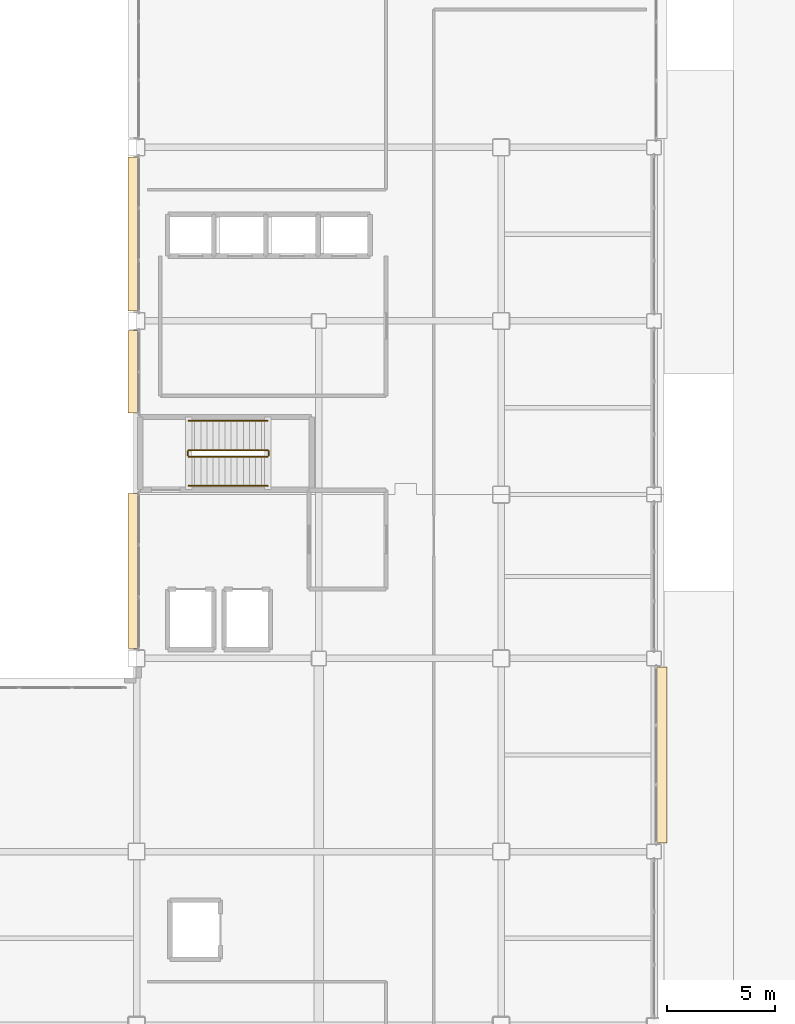
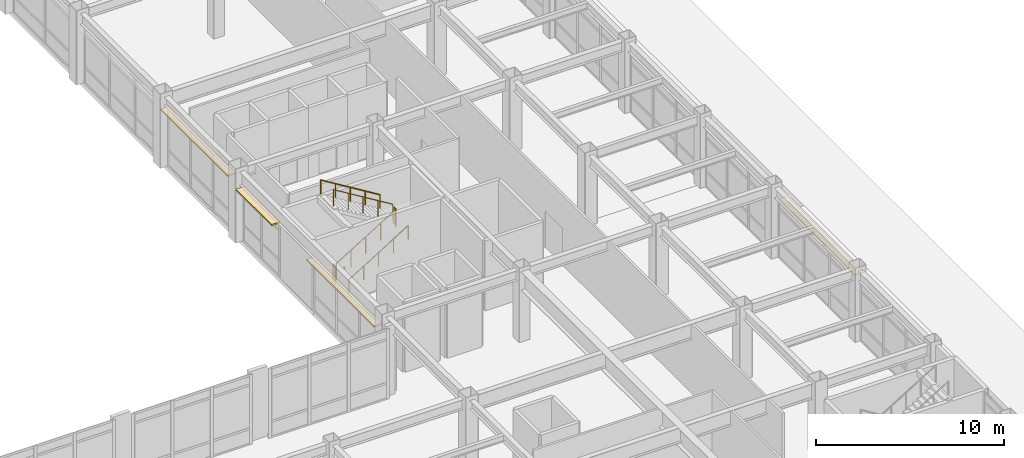
# One storey, part 168 of 172: 6 railings, 4 coverings.
"""IFC4 building model written with IfcOpenShell, lengths in metres."""

import ifcopenshell
import ifcopenshell.guid

model = None  # the IFC model being written
_history = None  # IfcOwnerHistory: only IFC2X3 demands one
_inside = {}  # id of a spatial element -> (the spatial element, [elements in it])
_under = {}  # id of a project, library or spatial element -> (it, [spatial elements below it])
_declared = {}  # id of a project -> (the project, [libraries it declares])
_typed = {}  # id of a type object -> (the type object, [elements of that type])
_made_of = {}  # id of a material, layer set ... -> (it, [elements and type objects made of it])


def new_model(schema):
    """Start an empty IFC model of exactly this schema.

    Asked for "IFC4X3", IfcOpenShell would pick the latest addendum, in which some entities
    have other attributes; the version numbers below select the first issue.
    IFC2X3 requires an IfcOwnerHistory on every rooted entity: one is made here for all.
    """
    global model, _history
    if schema == "IFC4X3":
        model = ifcopenshell.file(schema_version=(4, 3, 0, 0))
    else:
        model = ifcopenshell.file(schema=schema)
    _inside.clear()
    _under.clear()
    _declared.clear()
    _typed.clear()
    _made_of.clear()
    _history = None
    if model.schema == "IFC2X3":
        org = make("IfcOrganization", Name="unknown")
        user = make(
            "IfcPersonAndOrganization",
            ThePerson=make("IfcPerson", FamilyName="unknown"),
            TheOrganization=org,
        )
        app = make(
            "IfcApplication",
            ApplicationDeveloper=org,
            Version="unknown",
            ApplicationFullName="unknown",
            ApplicationIdentifier="unknown",
        )
        _history = make(
            "IfcOwnerHistory",
            OwningUser=user,
            OwningApplication=app,
            ChangeAction="ADDED",
            CreationDate=0,
        )
    return model


def make(cls, **values):
    """One entity of the class cls with the attributes given. An attribute that is None is left unset."""
    return model.create_entity(
        cls, **{name: value for name, value in values.items() if value is not None}
    )


def rooted(cls, **values):
    """An entity with a GlobalId (a new one), such as an element, a storey or a relation."""
    return make(cls, GlobalId=ifcopenshell.guid.new(), OwnerHistory=_history, **values)


def si_unit(unit_type, name, prefix=None):
    """IfcSIUnit, for example si_unit("LENGTHUNIT", "METRE", prefix="MILLI")."""
    return make("IfcSIUnit", UnitType=unit_type, Prefix=prefix, Name=name)


def assignment(units):
    """IfcUnitAssignment: the units of a project."""
    return None if units is None else make("IfcUnitAssignment", Units=units)


def point(xyz):
    """IfcCartesianPoint."""
    return None if xyz is None else make("IfcCartesianPoint", Coordinates=xyz)


def direction(xyz):
    """IfcDirection."""
    return None if xyz is None else make("IfcDirection", DirectionRatios=xyz)


def frame(location, z_axis=None, x_axis=None):
    """IfcAxis2Placement3D, a coordinate frame: its origin and axes. An axis left out is left unset."""
    return make(
        "IfcAxis2Placement3D",
        Location=point(location),
        Axis=direction(z_axis),
        RefDirection=direction(x_axis),
    )


def frame_2d(location, x_axis=None):
    """IfcAxis2Placement2D, a coordinate frame in the plane: its origin and x axis."""
    return make(
        "IfcAxis2Placement2D", Location=point(location), RefDirection=direction(x_axis)
    )


def origin():
    """The frame at (0, 0, 0) with its axes left unset."""
    return frame((0.0, 0.0, 0.0))


def origin_2d():
    """The frame at (0, 0) in the plane with its x axis left unset."""
    return frame_2d((0.0, 0.0))


def place(relative_to, where):
    """IfcLocalPlacement: puts the frame where relative to a parent placement (None: the world)."""
    return make(
        "IfcLocalPlacement", PlacementRelTo=relative_to, RelativePlacement=where
    )


def context(
    kind, dimensions, precision=None, world=None, true_north=None, identifier=None
):
    """IfcGeometricRepresentationContext, for example the 3D "Model" context."""
    return make(
        "IfcGeometricRepresentationContext",
        ContextIdentifier=identifier,
        ContextType=kind,
        CoordinateSpaceDimension=dimensions,
        Precision=precision,
        WorldCoordinateSystem=world,
        TrueNorth=true_north,
    )


def subcontext(parent, identifier, kind, view, scale=None):
    """IfcGeometricRepresentationSubContext, for example "Body" below "Model"."""
    return make(
        "IfcGeometricRepresentationSubContext",
        ContextIdentifier=identifier,
        ContextType=kind,
        ParentContext=parent,
        TargetScale=scale,
        TargetView=view,
    )


def project(units=None, contexts=None):
    """IfcProject with its units and contexts."""
    return rooted(
        "IfcProject",
        Name="project",
        RepresentationContexts=contexts,
        UnitsInContext=assignment(units),
    )


def spatial(cls, under=None, at=None, **own):
    """A site, building, storey or space (cls), placed at a placement, below another one or the project."""
    s = rooted(cls, ObjectPlacement=at, **own)
    if under is not None:
        _under.setdefault(under.id(), (under, []))[1].append(s)
    return s


def profile(cls, at=None, kind="AREA", **sizes):
    """A parametric profile (cls). Its sizes go by their IFC names, for example OverallWidth=200.0."""
    return make(cls, ProfileType=kind, Position=at, **sizes)


def rectangle(**sizes):
    """IfcRectangleProfileDef."""
    return profile("IfcRectangleProfileDef", **sizes)


def circle(**sizes):
    """IfcCircleProfileDef."""
    return profile("IfcCircleProfileDef", **sizes)


def extrude(swept, where, along, depth):
    """IfcExtrudedAreaSolid: the profile swept, set in the frame where, extruded along a direction by depth."""
    return make(
        "IfcExtrudedAreaSolid",
        SweptArea=swept,
        Position=where,
        ExtrudedDirection=direction(along),
        Depth=depth,
    )


def shape(context_of_items, identifier, shape_type, items):
    """IfcShapeRepresentation: the items that make up one representation, for example the "Body"."""
    return make(
        "IfcShapeRepresentation",
        ContextOfItems=context_of_items,
        RepresentationIdentifier=identifier,
        RepresentationType=shape_type,
        Items=items,
    )


def material(Name=None, Category=None):
    """IfcMaterial."""
    return make("IfcMaterial", Name=Name, Category=Category)


def layer(
    of_material, thickness, ventilated=None, Name=None, Category=None, Priority=None
):
    """IfcMaterialLayer: one layer of a wall or slab, of a material (None: an air gap)."""
    return make(
        "IfcMaterialLayer",
        Material=of_material,
        LayerThickness=thickness,
        IsVentilated=ventilated,
        Name=Name,
        Category=Category,
        Priority=Priority,
    )


def layer_set(layers, Name=None):
    """IfcMaterialLayerSet."""
    return make("IfcMaterialLayerSet", MaterialLayers=layers, LayerSetName=Name)


def made_of(thing, what):
    """Note that an element or type object is made of a material, layer set ...; save() writes the relation."""
    if what is not None:
        _made_of.setdefault(what.id(), (what, []))[1].append(thing)
    return thing


def type_object(cls, material=None, **own):
    """A type object (cls), such as IfcWallType, which elements share."""
    return made_of(rooted(cls, **own), material)


def element(
    cls,
    number,
    at=None,
    inside=None,
    cuts=None,
    type_object=None,
    material=None,
    context=None,
    identifier="Body",
    shape_type=None,
    held_by="IfcProductDefinitionShape",
    body=None,
    shapes=None,
    **own,
):
    """One element of the class cls, such as IfcWall. Its Tag is "e" and its number.

    at: its placement. inside: the storey or other place that contains it. cuts: it is an
    opening in that element (IfcRelVoidsElement). A single representation is given by context,
    identifier, shape_type and body (its items); several are given by shapes. held_by: the class
    of the entity that holds the representations. save() writes the other relations.
    """
    e = rooted(cls, Tag="e%d" % number, ObjectPlacement=at, **own)
    if body is not None:
        shapes = [shape(context, identifier, shape_type, body)]
    if shapes is not None:
        e.Representation = make(held_by, Representations=shapes)
    if inside is not None:
        _inside.setdefault(inside.id(), (inside, []))[1].append(e)
    if cuts is not None:
        rooted(
            "IfcRelVoidsElement", RelatingBuildingElement=cuts, RelatedOpeningElement=e
        )
    if type_object is not None:
        _typed.setdefault(type_object.id(), (type_object, []))[1].append(e)
    return made_of(e, material)


def aggregate(whole, parts):
    """IfcRelAggregates: a whole, such as a stair, and the parts it consists of."""
    return rooted("IfcRelAggregates", RelatingObject=whole, RelatedObjects=parts)


def save(model, path):
    """Write the relations noted so far, then the file.

    IfcRelAggregates (storeys below a building ...), IfcRelContainedInSpatialStructure (elements
    in a storey), IfcRelDefinesByType, IfcRelAssociatesMaterial and IfcRelDeclares: one each for
    every whole, place, type object, material and project.
    """
    for whole, parts in _under.values():
        aggregate(whole, parts)
    for where, things in _inside.values():
        rooted(
            "IfcRelContainedInSpatialStructure",
            RelatedElements=things,
            RelatingStructure=where,
        )
    for kind, things in _typed.values():
        rooted("IfcRelDefinesByType", RelatedObjects=things, RelatingType=kind)
    for what, things in _made_of.values():
        rooted("IfcRelAssociatesMaterial", RelatedObjects=things, RelatingMaterial=what)
    for by, libraries in _declared.values():
        rooted("IfcRelDeclares", RelatingContext=by, RelatedDefinitions=libraries)
    model.write(path)


model = new_model("IFC4")

# Units and contexts
model_context = context("Model", 3, precision=1e-05, world=origin(), true_north=direction((0.0, 1.0)))
body_context = subcontext(model_context, "Body", "Model", "MODEL_VIEW")
ifc_project = project(units=[si_unit("LENGTHUNIT", "METRE"), si_unit("AREAUNIT", "SQUARE_METRE"), si_unit("VOLUMEUNIT", "CUBIC_METRE"), si_unit("PLANEANGLEUNIT", "RADIAN"), si_unit("MASSUNIT", "GRAM", prefix="KILO")], contexts=[model_context])

# Site, building, storey
site_placement = place(None, origin())
site = spatial("IfcSite", under=ifc_project, at=site_placement, CompositionType="ELEMENT")
building_placement = place(site_placement, origin())
building = spatial("IfcBuilding", under=site, at=building_placement, Name="Kazehara Bluff Congress Hotel", CompositionType="ELEMENT")
storey_placement = place(building_placement, frame((0.0, 0.0, 5.39990234375)))
storey = spatial("IfcBuildingStorey", under=building, at=storey_placement, Name="L01", CompositionType="ELEMENT", Elevation=5.39990234375)

# Coverings
ifc_material_1 = material(Name="Anodised aluminium architectural brise-soleil", Category="aluminium")
ifc_layer = layer(ifc_material_1, 0.10009765625)
ifc_layer_set = layer_set([ifc_layer], Name="Anodised aluminium architectural brise-soleil")
covering_type = type_object("IfcCoveringType", Name="TP-FAC-FIN", PredefinedType="CLADDING", material=ifc_layer_set)
covering_1_placement = place(storey_placement, frame((167.889892578125, 36.449951171875, 3.705078125), z_axis=(0.0, 0.0, 1.0), x_axis=(1.0, 0.0, 0.0)))
element("IfcCovering", 1, at=covering_1_placement, inside=storey, type_object=covering_type, Name="L01 V5 architectural sun-hood 59", PredefinedType="CLADDING", context=body_context, shape_type="SweptSolid", body=[
    extrude(rectangle(XDim=0.52001953125, YDim=8.10009765625, at=origin_2d()), origin(), (0.0, 0.0, 1.0), 0.10009765625),
])
covering_2_placement = place(storey_placement, frame((143.56005859375, 44.919921875, 3.455078125), z_axis=(0.0, 0.0, 1.0), x_axis=(1.0, 0.0, 0.0)))
element("IfcCovering", 2, at=covering_2_placement, inside=storey, type_object=covering_type, Name="L01 V5 architectural sun-hood 69", PredefinedType="CLADDING", context=body_context, shape_type="SweptSolid", body=[
    extrude(rectangle(XDim=0.52001953125, YDim=7.139892578125, at=origin_2d()), origin(), (0.0, 0.0, 1.0), 0.10009765625),
])
covering_3_placement = place(storey_placement, frame((143.56005859375, 54.10498046875, 3.455078125), z_axis=(0.0, 0.0, 1.0), x_axis=(1.0, 0.0, 0.0)))
element("IfcCovering", 3, at=covering_3_placement, inside=storey, type_object=covering_type, Name="L01 V5 architectural sun-hood 70", PredefinedType="CLADDING", context=body_context, shape_type="SweptSolid", body=[
    extrude(rectangle(XDim=0.52001953125, YDim=3.7900390625, at=origin_2d()), origin(), (0.0, 0.0, 1.0), 0.10009765625),
])
covering_4_placement = place(storey_placement, frame((143.56005859375, 60.449951171875, 3.804931640625), z_axis=(0.0, 0.0, 1.0), x_axis=(1.0, 0.0, 0.0)))
element("IfcCovering", 4, at=covering_4_placement, inside=storey, type_object=covering_type, Name="L01 V5 architectural sun-hood 71", PredefinedType="CLADDING", context=body_context, shape_type="SweptSolid", body=[
    extrude(rectangle(XDim=0.52001953125, YDim=7.10009765625, at=origin_2d()), origin(), (0.0, 0.0, 1.0), 0.10009765625),
])

# Railings
ifc_material_2 = material(Name="Brushed stainless steel", Category="steel")
railing_type_1 = type_object("IfcRailingType", Name="TP-GRD-INT", PredefinedType="GUARDRAIL", material=ifc_material_2)
railing_1_placement = place(storey_placement, frame((146.10009765625, 50.199951171875, 0.171630859375)))
element("IfcRailing", 5, at=railing_1_placement, inside=storey, type_object=railing_type_1, Name="L01 ST-11 stair guard 1", PredefinedType="GUARDRAIL", context=body_context, shape_type="SweptSolid", body=[
    extrude(circle(Radius=0.02392578125, at=origin_2d()), frame((0.0, 0.0, 1.076171875), z_axis=(0.852850264322, 0.0, 0.5221555579), x_axis=(0.0, 1.0, 0.0)), (0.0, 0.0, 1.0), 4.267822265625),
    extrude(circle(Radius=0.02099609375, at=origin_2d()), origin(), (0.0, 0.0, 1.0), 1.052001953125),
    extrude(circle(Radius=0.02099609375, at=origin_2d()), frame((0.909912109375, 0.0, 0.55712890625)), (0.0, 0.0, 1.0), 1.052001953125),
    extrude(circle(Radius=0.02099609375, at=origin_2d()), frame((1.81982421875, 0.0, 1.1142578125)), (0.0, 0.0, 1.0), 1.052001953125),
    extrude(circle(Radius=0.02099609375, at=origin_2d()), frame((2.72998046875, 0.0, 1.67138671875)), (0.0, 0.0, 1.0), 1.052001953125),
    extrude(circle(Radius=0.02099609375, at=origin_2d()), frame((3.639892578125, 0.0, 2.228515625)), (0.0, 0.0, 1.0), 1.052001953125),
])
railing_2_placement = place(storey_placement, frame((149.7900390625, 50.25, 2.400146484375)))
element("IfcRailing", 6, at=railing_2_placement, inside=storey, type_object=railing_type_1, Name="L01 ST-11 stair guard 2", PredefinedType="GUARDRAIL", context=body_context, shape_type="SweptSolid", body=[
    extrude(circle(Radius=0.02392578125, at=origin_2d()), frame((0.0, 0.0, 1.076171875), z_axis=(0.0, 1.0, 0.0), x_axis=(-1.0, 0.0, 0.0)), (0.0, 0.0, 1.0), 0.199951171875),
    extrude(circle(Radius=0.02099609375, at=origin_2d()), origin(), (0.0, 0.0, 1.0), 1.052001953125),
    extrude(circle(Radius=0.02099609375, at=origin_2d()), frame((0.0, 0.199951171875, 0.0)), (0.0, 0.0, 1.0), 1.052001953125),
])
railing_3_placement = place(storey_placement, frame((149.739990234375, 50.5, 2.571533203125)))
element("IfcRailing", 7, at=railing_3_placement, inside=storey, type_object=railing_type_1, Name="L01 ST-11 stair guard 3", PredefinedType="GUARDRAIL", context=body_context, shape_type="SweptSolid", body=[
    extrude(circle(Radius=0.02392578125, at=origin_2d()), frame((0.0, 0.0, 1.076171875), z_axis=(-0.852850264322, 0.0, 0.5221555579), x_axis=(0.0, -1.0, 0.0)), (0.0, 0.0, 1.0), 4.267822265625),
    extrude(circle(Radius=0.02099609375, at=origin_2d()), origin(), (0.0, 0.0, 1.0), 1.052001953125),
    extrude(circle(Radius=0.02099609375, at=origin_2d()), frame((-0.909912109375, 0.0, 0.55712890625)), (0.0, 0.0, 1.0), 1.052001953125),
    extrude(circle(Radius=0.02099609375, at=origin_2d()), frame((-1.81982421875, 0.0, 1.1142578125)), (0.0, 0.0, 1.0), 1.052001953125),
    extrude(circle(Radius=0.02099609375, at=origin_2d()), frame((-2.72998046875, 0.0, 1.67138671875)), (0.0, 0.0, 1.0), 1.052001953125),
    extrude(circle(Radius=0.02099609375, at=origin_2d()), frame((-3.639892578125, 0.0, 2.228515625)), (0.0, 0.0, 1.0), 1.052001953125),
])
railing_4_placement = place(storey_placement, frame((146.050048828125, 50.25, 0.0)))
element("IfcRailing", 8, at=railing_4_placement, inside=storey, type_object=railing_type_1, Name="L01 ST-11 stair guard 4", PredefinedType="GUARDRAIL", context=body_context, shape_type="SweptSolid", body=[
    extrude(circle(Radius=0.02392578125, at=origin_2d()), frame((0.0, 0.0, 1.076171875), z_axis=(0.0, 1.0, 0.0), x_axis=(-1.0, 0.0, 0.0)), (0.0, 0.0, 1.0), 0.199951171875),
    extrude(circle(Radius=0.02099609375, at=origin_2d()), origin(), (0.0, 0.0, 1.0), 1.052001953125),
    extrude(circle(Radius=0.02099609375, at=origin_2d()), frame((0.0, 0.199951171875, 0.0)), (0.0, 0.0, 1.0), 1.052001953125),
])
ifc_material_3 = material(Name="Brushed stainless steel", Category="steel")
railing_type_2 = type_object("IfcRailingType", Name="TP-HR-INT", PredefinedType="HANDRAIL", material=ifc_material_3)
railing_5_placement = place(storey_placement, frame((146.10009765625, 48.85009765625, 0.171630859375)))
element("IfcRailing", 9, at=railing_5_placement, inside=storey, type_object=railing_type_2, Name="L01 ST-11 stair handrail 1", PredefinedType="HANDRAIL", context=body_context, shape_type="SweptSolid", body=[
    extrude(circle(Radius=0.02392578125, at=origin_2d()), frame((0.0, 0.0, 0.8759765625), z_axis=(0.852850264322, 0.0, 0.5221555579), x_axis=(0.0, 1.0, 0.0)), (0.0, 0.0, 1.0), 4.267822265625),
    extrude(circle(Radius=0.02099609375, at=origin_2d()), origin(), (0.0, 0.0, 1.0), 0.851806640625),
    extrude(circle(Radius=0.02099609375, at=origin_2d()), frame((0.909912109375, 0.0, 0.55712890625)), (0.0, 0.0, 1.0), 0.851806640625),
    extrude(circle(Radius=0.02099609375, at=origin_2d()), frame((1.81982421875, 0.0, 1.1142578125)), (0.0, 0.0, 1.0), 0.851806640625),
    extrude(circle(Radius=0.02099609375, at=origin_2d()), frame((2.72998046875, 0.0, 1.67138671875)), (0.0, 0.0, 1.0), 0.851806640625),
    extrude(circle(Radius=0.02099609375, at=origin_2d()), frame((3.639892578125, 0.0, 2.228515625)), (0.0, 0.0, 1.0), 0.851806640625),
])
railing_6_placement = place(storey_placement, frame((149.739990234375, 51.85009765625, 2.571533203125)))
element("IfcRailing", 10, at=railing_6_placement, inside=storey, type_object=railing_type_2, Name="L01 ST-11 stair handrail 2", PredefinedType="HANDRAIL", context=body_context, shape_type="SweptSolid", body=[
    extrude(circle(Radius=0.02392578125, at=origin_2d()), frame((0.0, 0.0, 0.8759765625), z_axis=(-0.852850264322, 0.0, 0.5221555579), x_axis=(0.0, -1.0, 0.0)), (0.0, 0.0, 1.0), 4.267822265625),
    extrude(circle(Radius=0.02099609375, at=origin_2d()), origin(), (0.0, 0.0, 1.0), 0.851806640625),
    extrude(circle(Radius=0.02099609375, at=origin_2d()), frame((-0.909912109375, 0.0, 0.55712890625)), (0.0, 0.0, 1.0), 0.851806640625),
    extrude(circle(Radius=0.02099609375, at=origin_2d()), frame((-1.81982421875, 0.0, 1.1142578125)), (0.0, 0.0, 1.0), 0.851806640625),
    extrude(circle(Radius=0.02099609375, at=origin_2d()), frame((-2.72998046875, 0.0, 1.67138671875)), (0.0, 0.0, 1.0), 0.851806640625),
    extrude(circle(Radius=0.02099609375, at=origin_2d()), frame((-3.639892578125, 0.0, 2.228515625)), (0.0, 0.0, 1.0), 0.851806640625),
])

save(model, "model.ifc")
